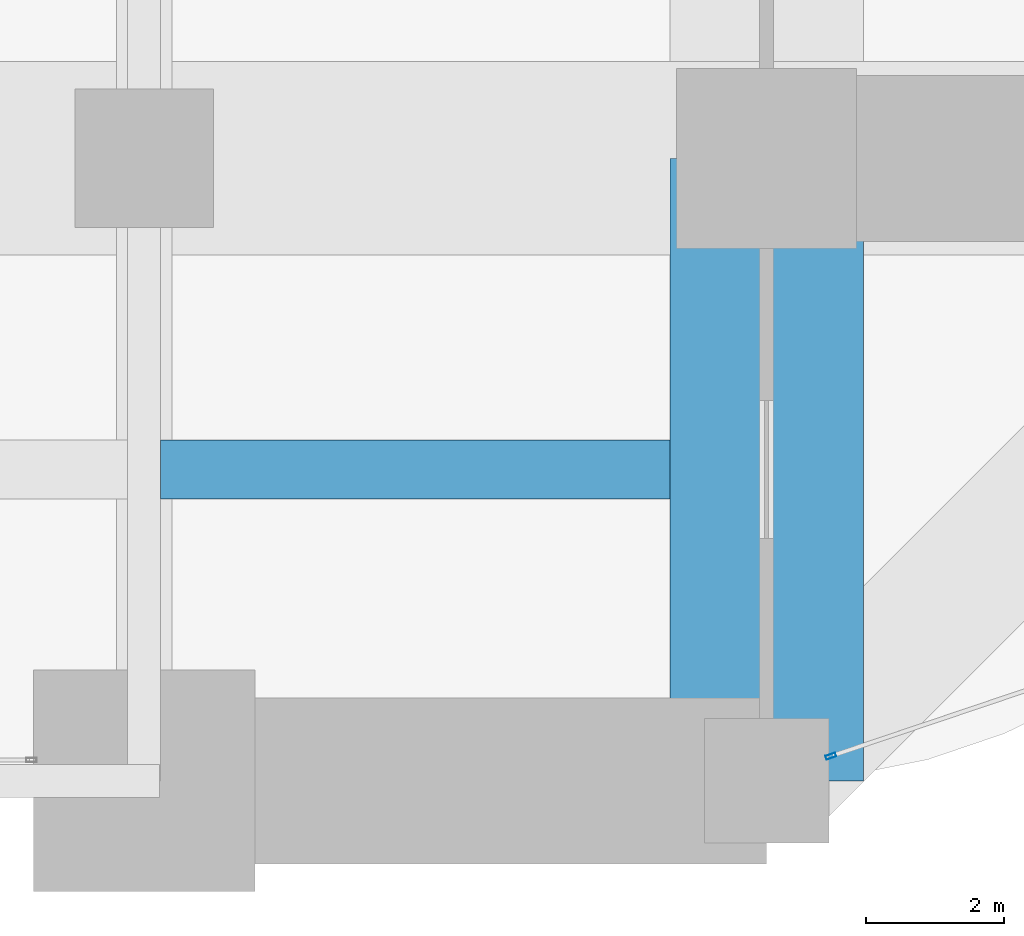
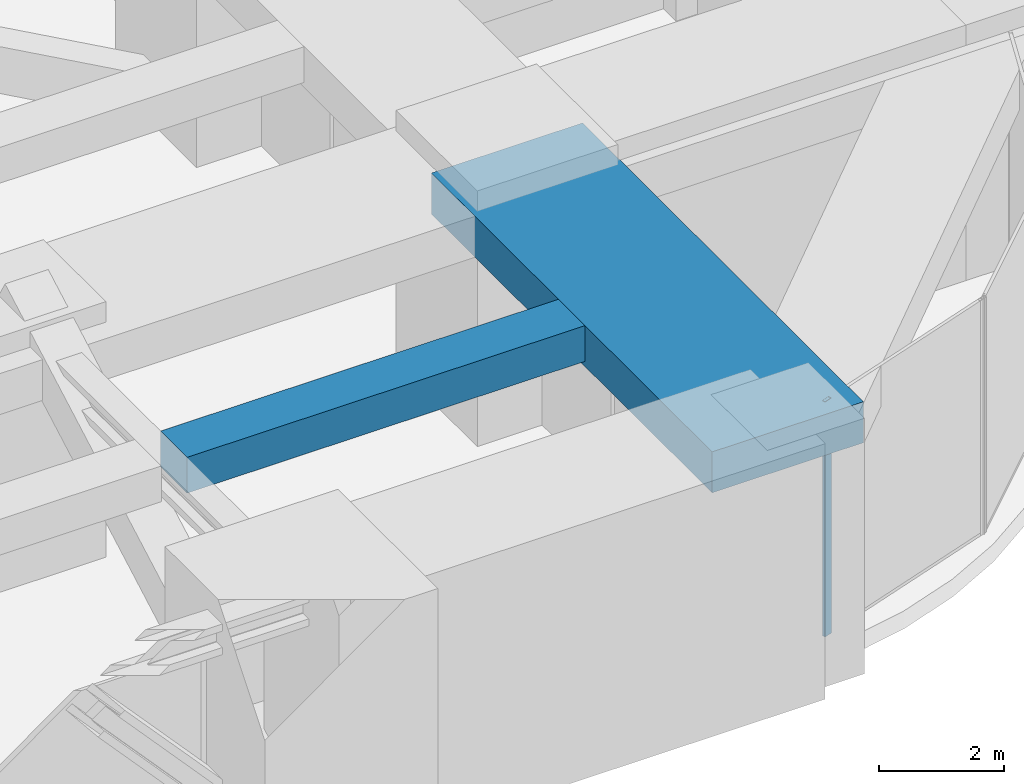
# One storey, part 15 of 38: 2 beams, 1 member, 1 element without a shape of its own.
"""IFC4 building model written with IfcOpenShell, lengths in metres."""

import ifcopenshell
import ifcopenshell.guid

model = None  # the IFC model being written
_history = None  # IfcOwnerHistory: only IFC2X3 demands one
_inside = {}  # id of a spatial element -> (the spatial element, [elements in it])
_under = {}  # id of a project, library or spatial element -> (it, [spatial elements below it])
_declared = {}  # id of a project -> (the project, [libraries it declares])
_typed = {}  # id of a type object -> (the type object, [elements of that type])
_made_of = {}  # id of a material, layer set ... -> (it, [elements and type objects made of it])


def new_model(schema):
    """Start an empty IFC model of exactly this schema.

    Asked for "IFC4X3", IfcOpenShell would pick the latest addendum, in which some entities
    have other attributes; the version numbers below select the first issue.
    IFC2X3 requires an IfcOwnerHistory on every rooted entity: one is made here for all.
    """
    global model, _history
    if schema == "IFC4X3":
        model = ifcopenshell.file(schema_version=(4, 3, 0, 0))
    else:
        model = ifcopenshell.file(schema=schema)
    _inside.clear()
    _under.clear()
    _declared.clear()
    _typed.clear()
    _made_of.clear()
    _history = None
    if model.schema == "IFC2X3":
        org = make("IfcOrganization", Name="unknown")
        user = make(
            "IfcPersonAndOrganization",
            ThePerson=make("IfcPerson", FamilyName="unknown"),
            TheOrganization=org,
        )
        app = make(
            "IfcApplication",
            ApplicationDeveloper=org,
            Version="unknown",
            ApplicationFullName="unknown",
            ApplicationIdentifier="unknown",
        )
        _history = make(
            "IfcOwnerHistory",
            OwningUser=user,
            OwningApplication=app,
            ChangeAction="ADDED",
            CreationDate=0,
        )
    return model


def make(cls, **values):
    """One entity of the class cls with the attributes given. An attribute that is None is left unset."""
    return model.create_entity(
        cls, **{name: value for name, value in values.items() if value is not None}
    )


def rooted(cls, **values):
    """An entity with a GlobalId (a new one), such as an element, a storey or a relation."""
    return make(cls, GlobalId=ifcopenshell.guid.new(), OwnerHistory=_history, **values)


def si_unit(unit_type, name, prefix=None):
    """IfcSIUnit, for example si_unit("LENGTHUNIT", "METRE", prefix="MILLI")."""
    return make("IfcSIUnit", UnitType=unit_type, Prefix=prefix, Name=name)


def assignment(units):
    """IfcUnitAssignment: the units of a project."""
    return None if units is None else make("IfcUnitAssignment", Units=units)


def point(xyz):
    """IfcCartesianPoint."""
    return None if xyz is None else make("IfcCartesianPoint", Coordinates=xyz)


def direction(xyz):
    """IfcDirection."""
    return None if xyz is None else make("IfcDirection", DirectionRatios=xyz)


def frame(location, z_axis=None, x_axis=None):
    """IfcAxis2Placement3D, a coordinate frame: its origin and axes. An axis left out is left unset."""
    return make(
        "IfcAxis2Placement3D",
        Location=point(location),
        Axis=direction(z_axis),
        RefDirection=direction(x_axis),
    )


def frame_2d(location, x_axis=None):
    """IfcAxis2Placement2D, a coordinate frame in the plane: its origin and x axis."""
    return make(
        "IfcAxis2Placement2D", Location=point(location), RefDirection=direction(x_axis)
    )


def origin():
    """The frame at (0, 0, 0) with its axes left unset."""
    return frame((0.0, 0.0, 0.0))


def origin_2d():
    """The frame at (0, 0) in the plane with its x axis left unset."""
    return frame_2d((0.0, 0.0))


def place(relative_to, where):
    """IfcLocalPlacement: puts the frame where relative to a parent placement (None: the world)."""
    return make(
        "IfcLocalPlacement", PlacementRelTo=relative_to, RelativePlacement=where
    )


def context(
    kind, dimensions, precision=None, world=None, true_north=None, identifier=None
):
    """IfcGeometricRepresentationContext, for example the 3D "Model" context."""
    return make(
        "IfcGeometricRepresentationContext",
        ContextIdentifier=identifier,
        ContextType=kind,
        CoordinateSpaceDimension=dimensions,
        Precision=precision,
        WorldCoordinateSystem=world,
        TrueNorth=true_north,
    )


def subcontext(parent, identifier, kind, view, scale=None):
    """IfcGeometricRepresentationSubContext, for example "Body" below "Model"."""
    return make(
        "IfcGeometricRepresentationSubContext",
        ContextIdentifier=identifier,
        ContextType=kind,
        ParentContext=parent,
        TargetScale=scale,
        TargetView=view,
    )


def project(units=None, contexts=None):
    """IfcProject with its units and contexts."""
    return rooted(
        "IfcProject",
        Name="project",
        RepresentationContexts=contexts,
        UnitsInContext=assignment(units),
    )


def spatial(cls, under=None, at=None, **own):
    """A site, building, storey or space (cls), placed at a placement, below another one or the project."""
    s = rooted(cls, ObjectPlacement=at, **own)
    if under is not None:
        _under.setdefault(under.id(), (under, []))[1].append(s)
    return s


def profile(cls, at=None, kind="AREA", **sizes):
    """A parametric profile (cls). Its sizes go by their IFC names, for example OverallWidth=200.0."""
    return make(cls, ProfileType=kind, Position=at, **sizes)


def rectangle(**sizes):
    """IfcRectangleProfileDef."""
    return profile("IfcRectangleProfileDef", **sizes)


def hollow_rectangle(**sizes):
    """IfcRectangleHollowProfileDef."""
    return profile("IfcRectangleHollowProfileDef", **sizes)


def extrude(swept, where, along, depth):
    """IfcExtrudedAreaSolid: the profile swept, set in the frame where, extruded along a direction by depth."""
    return make(
        "IfcExtrudedAreaSolid",
        SweptArea=swept,
        Position=where,
        ExtrudedDirection=direction(along),
        Depth=depth,
    )


def shape(context_of_items, identifier, shape_type, items):
    """IfcShapeRepresentation: the items that make up one representation, for example the "Body"."""
    return make(
        "IfcShapeRepresentation",
        ContextOfItems=context_of_items,
        RepresentationIdentifier=identifier,
        RepresentationType=shape_type,
        Items=items,
    )


def material(Name=None, Category=None):
    """IfcMaterial."""
    return make("IfcMaterial", Name=Name, Category=Category)


def material_profile(
    of_material, cross_section, Name=None, Category=None, Priority=None
):
    """IfcMaterialProfile: a cross section and its material."""
    return make(
        "IfcMaterialProfile",
        Name=Name,
        Material=of_material,
        Profile=cross_section,
        Priority=Priority,
        Category=Category,
    )


def profile_set(profiles, Name=None, composite=None):
    """IfcMaterialProfileSet."""
    return make(
        "IfcMaterialProfileSet",
        Name=Name,
        MaterialProfiles=profiles,
        CompositeProfile=composite,
    )


def made_of(thing, what):
    """Note that an element or type object is made of a material, layer set ...; save() writes the relation."""
    if what is not None:
        _made_of.setdefault(what.id(), (what, []))[1].append(thing)
    return thing


def type_object(cls, material=None, **own):
    """A type object (cls), such as IfcWallType, which elements share."""
    return made_of(rooted(cls, **own), material)


def element(
    cls,
    number,
    at=None,
    inside=None,
    cuts=None,
    type_object=None,
    material=None,
    context=None,
    identifier="Body",
    shape_type=None,
    held_by="IfcProductDefinitionShape",
    body=None,
    shapes=None,
    **own,
):
    """One element of the class cls, such as IfcWall. Its Tag is "e" and its number.

    at: its placement. inside: the storey or other place that contains it. cuts: it is an
    opening in that element (IfcRelVoidsElement). A single representation is given by context,
    identifier, shape_type and body (its items); several are given by shapes. held_by: the class
    of the entity that holds the representations. save() writes the other relations.
    """
    e = rooted(cls, Tag="e%d" % number, ObjectPlacement=at, **own)
    if body is not None:
        shapes = [shape(context, identifier, shape_type, body)]
    if shapes is not None:
        e.Representation = make(held_by, Representations=shapes)
    if inside is not None:
        _inside.setdefault(inside.id(), (inside, []))[1].append(e)
    if cuts is not None:
        rooted(
            "IfcRelVoidsElement", RelatingBuildingElement=cuts, RelatedOpeningElement=e
        )
    if type_object is not None:
        _typed.setdefault(type_object.id(), (type_object, []))[1].append(e)
    return made_of(e, material)


def aggregate(whole, parts):
    """IfcRelAggregates: a whole, such as a stair, and the parts it consists of."""
    return rooted("IfcRelAggregates", RelatingObject=whole, RelatedObjects=parts)


def save(model, path):
    """Write the relations noted so far, then the file.

    IfcRelAggregates (storeys below a building ...), IfcRelContainedInSpatialStructure (elements
    in a storey), IfcRelDefinesByType, IfcRelAssociatesMaterial and IfcRelDeclares: one each for
    every whole, place, type object, material and project.
    """
    for whole, parts in _under.values():
        aggregate(whole, parts)
    for where, things in _inside.values():
        rooted(
            "IfcRelContainedInSpatialStructure",
            RelatedElements=things,
            RelatingStructure=where,
        )
    for kind, things in _typed.values():
        rooted("IfcRelDefinesByType", RelatedObjects=things, RelatingType=kind)
    for what, things in _made_of.values():
        rooted("IfcRelAssociatesMaterial", RelatedObjects=things, RelatingMaterial=what)
    for by, libraries in _declared.values():
        rooted("IfcRelDeclares", RelatingContext=by, RelatedDefinitions=libraries)
    model.write(path)


model = new_model("IFC4")

# Units and contexts
model_context = context("Model", 3, precision=1e-05, world=origin(), true_north=direction((0.0, 1.0)))
body_context = subcontext(model_context, "Body", "Model", "MODEL_VIEW")
ifc_project = project(units=[si_unit("LENGTHUNIT", "METRE"), si_unit("AREAUNIT", "SQUARE_METRE"), si_unit("VOLUMEUNIT", "CUBIC_METRE"), si_unit("PLANEANGLEUNIT", "RADIAN"), si_unit("MASSUNIT", "GRAM", prefix="KILO")], contexts=[model_context])

# Site, building, storey
site_placement = place(None, origin())
site = spatial("IfcSite", under=ifc_project, at=site_placement, CompositionType="ELEMENT")
building_placement = place(site_placement, origin())
building = spatial("IfcBuilding", under=site, at=building_placement, Name="Zorevar Civic Tower", CompositionType="ELEMENT")
storey_placement = place(building_placement, frame((0.0, 0.0, 157.199951171875)))
storey = spatial("IfcBuildingStorey", under=building, at=storey_placement, Name="L38", CompositionType="ELEMENT", Elevation=157.199951171875)

# Beams
ifc_material_1 = material(Name="Concrete C50/60", Category="concrete")
ifc_material_profile_1 = material_profile(ifc_material_1, rectangle(XDim=2.800048828125, YDim=0.800048828125, at=origin_2d()), Name="RC 2800x800")
ifc_profile_set_1 = profile_set([ifc_material_profile_1], Name="Concrete C50/60")
beam_type_1 = type_object("IfcBeamType", Name="Beam RC 2800x800", PredefinedType="BEAM", material=ifc_profile_set_1)
beam_1_placement = place(storey_placement, frame((54.0, 0.0, 4.199951171875), z_axis=(0.0, 1.0, 0.0), x_axis=(-1.0, 0.0, 0.0)))
element("IfcBeam", 1, at=beam_1_placement, inside=storey, type_object=beam_type_1, Name="Girder L39", PredefinedType="BEAM", context=body_context, shape_type="SweptSolid", body=[
    extrude(rectangle(XDim=2.800048828125, YDim=0.800048828125, at=origin_2d()), origin(), (0.0, 0.0, 1.0), 9.0),
])
ifc_material_2 = material(Name="Concrete C50/60", Category="concrete")
ifc_material_profile_2 = material_profile(ifc_material_2, rectangle(XDim=0.85009765625, YDim=0.699951171875, at=origin_2d()), Name="RC 850x700")
ifc_profile_set_2 = profile_set([ifc_material_profile_2], Name="Concrete C50/60")
beam_type_2 = type_object("IfcBeamType", Name="Beam RC 850x700", PredefinedType="BEAM", material=ifc_profile_set_2)
beam_2_placement = place(storey_placement, frame((45.238037109375, 4.5, 4.25), z_axis=(1.0, 0.0, 0.0), x_axis=(0.0, 1.0, 0.0)))
element("IfcBeam", 2, at=beam_2_placement, inside=storey, type_object=beam_type_2, Name="Secondary beam L39", PredefinedType="BEAM", context=body_context, shape_type="SweptSolid", body=[
    extrude(rectangle(XDim=0.85009765625, YDim=0.699951171875, at=origin_2d()), origin(), (0.0, 0.0, 1.0), 7.362060546875),
])

# Curtain wall, member
ifc_material_3 = material(Name="Black aluminium louvres", Category="aluminium")
curtain_wall_type = type_object("IfcCurtainWallType", Name="Louvred curtain wall CW6 refuge", PredefinedType="NOTDEFINED", material=ifc_material_3)
curtain_wall_placement = place(storey_placement, origin())
curtain_wall = element("IfcCurtainWall", 3, at=curtain_wall_placement, inside=storey, type_object=curtain_wall_type, Name="CW6 L38", PredefinedType="NOTDEFINED")
ifc_material_4 = material(Name="Aluminium, black anodised", Category="aluminium")
ifc_material_profile_3 = material_profile(ifc_material_4, hollow_rectangle(XDim=0.06005859375, YDim=0.14990234375, WallThickness=0.00390625, at=origin_2d()), Name="AL 150x60x4")
ifc_profile_set_3 = profile_set([ifc_material_profile_3], Name="Aluminium, black anodised")
member_type = type_object("IfcMemberType", Name="CW6 mullion AL 150x60x4", PredefinedType="MULLION", material=ifc_profile_set_3)
member_placement = place(storey_placement, frame((54.928466796875, 0.356201171875, 0.0), z_axis=(0.0, 0.0, 1.0), x_axis=(-0.319412525043, 0.947615765406, 0.0)))
member = element("IfcMember", 4, at=member_placement, type_object=member_type, Name="CW6 mullion 1", PredefinedType="MULLION", context=body_context, shape_type="SweptSolid", body=[
    extrude(hollow_rectangle(XDim=0.06005859375, YDim=0.14990234375, WallThickness=0.00390625, at=origin_2d()), origin(), (0.0, 0.0, 1.0), 4.60009765625),
])
aggregate(curtain_wall, [member])

save(model, "model.ifc")
